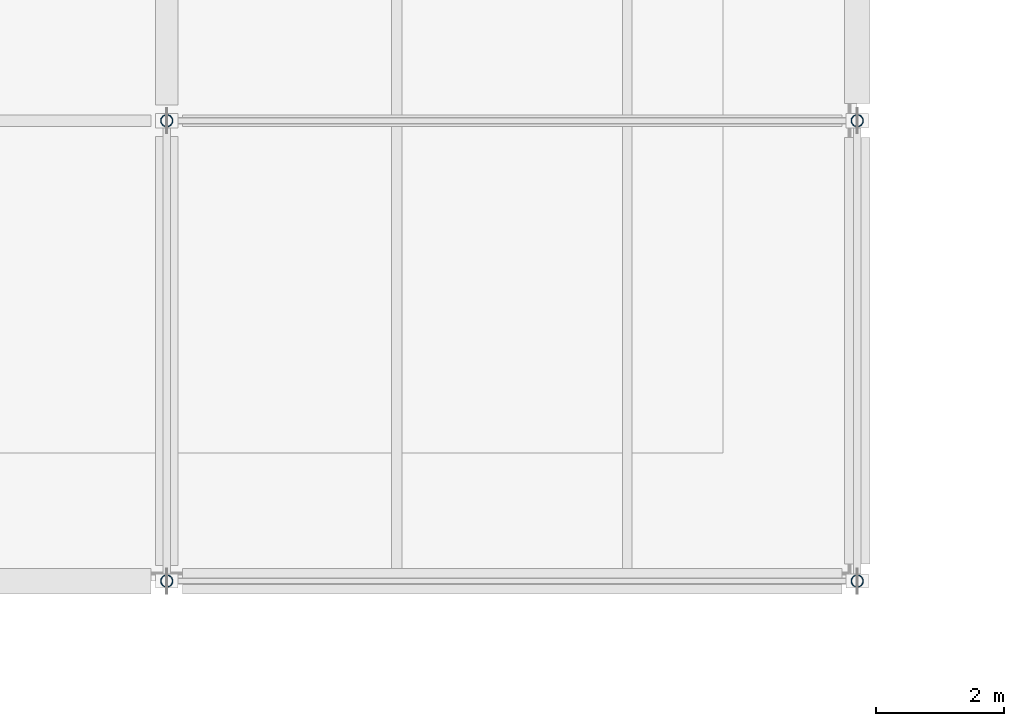
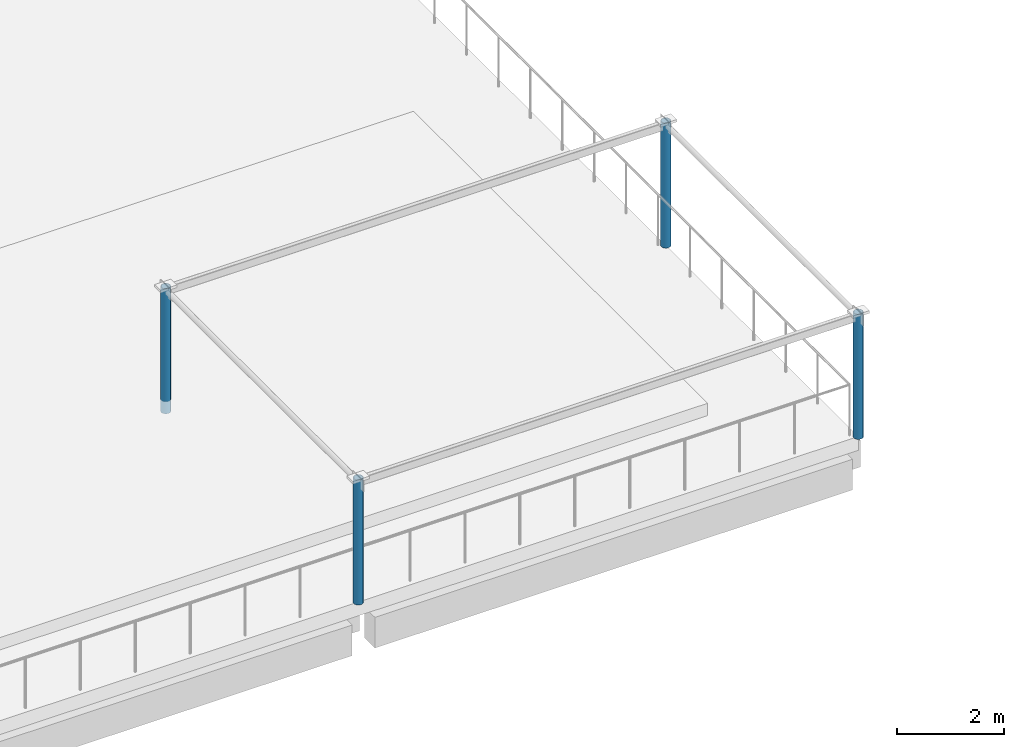
# One storey, part 1 of 33: 4 columns.
"""IFC4 building model written with IfcOpenShell, lengths in metres."""

from ifc_helpers import new_model, si_unit, direction, frame, origin, origin_2d, place, context, subcontext, project, spatial, hollow_circle, extrude, material, material_profile, profile_set, type_object, element, save


model = new_model("IFC4")

# Units and contexts
model_context = context("Model", 3, precision=1e-05, world=origin(), true_north=direction((0.0, 1.0)))
body_context = subcontext(model_context, "Body", "Model", "MODEL_VIEW")
ifc_project = project(units=[si_unit("LENGTHUNIT", "METRE"), si_unit("AREAUNIT", "SQUARE_METRE"), si_unit("VOLUMEUNIT", "CUBIC_METRE"), si_unit("PLANEANGLEUNIT", "RADIAN"), si_unit("MASSUNIT", "GRAM", prefix="KILO")], contexts=[model_context])

# Site, building, storey
site_placement = place(None, origin())
site = spatial("IfcSite", under=ifc_project, at=site_placement, CompositionType="ELEMENT")
building_placement = place(site_placement, origin())
building = spatial("IfcBuilding", under=site, at=building_placement, Name="Lusvemor Sports Hall", CompositionType="ELEMENT")
storey_placement = place(building_placement, frame((0.0, 0.0, 19.199951171875)))
storey = spatial("IfcBuildingStorey", under=building, at=storey_placement, Name="L04", CompositionType="ELEMENT", Elevation=19.199951171875)

# Columns
ifc_material = material(Name="Steel S355", Category="steel")
ifc_material_profile = material_profile(ifc_material, hollow_circle(Radius=0.096923828125, WallThickness=0.010009765625, at=origin_2d()), Name="CHS193.7x10.0")
ifc_profile_set = profile_set([ifc_material_profile], Name="Steel S355")
column_type = type_object("IfcColumnType", Name="COL_STAIR_POST", PredefinedType="COLUMN", material=ifc_profile_set)
for number, where, z_axis, x_axis, name in (
    (1, (10.800048828125, 54.0, 0.0), (0.0, 0.0, 1.0), (1.0, 0.0, 0.0), "Garden Pergola Column PERG-L04-WS-1A"),
    (2, (21.60009765625, 54.0, 0.0), (0.0, 0.0, 1.0), (1.0, 0.0, 0.0), "Garden Pergola Column PERG-L04-WS-1B"),
    (3, (10.800048828125, 61.199951171875, 0.0), (0.0, 0.0, 1.0), (1.0, 0.0, 0.0), "Garden Pergola Column PERG-L04-WS-2A"),
    (4, (21.60009765625, 61.199951171875, 0.0), (0.0, 0.0, 1.0), (1.0, 0.0, 0.0), "Garden Pergola Column PERG-L04-WS-2B"),
):
    element("IfcColumn", number, at=place(storey_placement, frame(where, z_axis=z_axis, x_axis=x_axis)), inside=storey, type_object=column_type, Name=name, PredefinedType="COLUMN", context=body_context, shape_type="SweptSolid", body=[
        extrude(hollow_circle(Radius=0.096923828125, WallThickness=0.010009765625, at=origin_2d()), origin(), (0.0, 0.0, 1.0), 2.85009765625),
    ])

save(model, "model.ifc")
